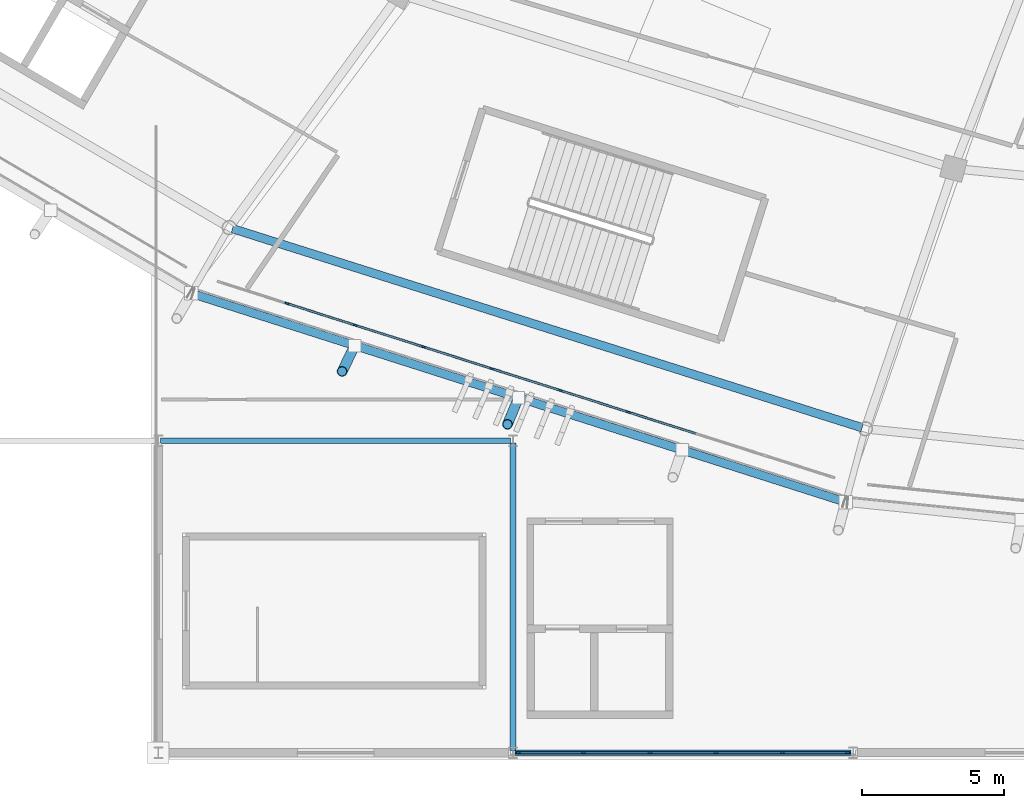
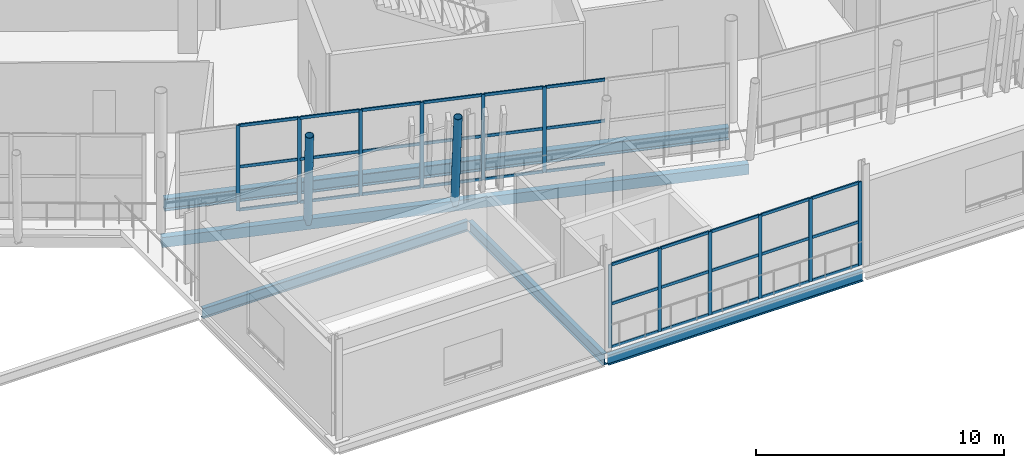
# One storey, part 32 of 179: 47 members, 5 beams, 2 elements without a shape of their own.
"""IFC4 building model written with IfcOpenShell, lengths in metres."""

from ifc_helpers import new_model, si_unit, direction, frame, origin, origin_2d, place, context, subcontext, project, spatial, rectangle, hollow_rectangle, hollow_circle, i_section, extrude, material, material_profile, profile_set, type_object, element, aggregate, save


model = new_model("IFC4")

# Units and contexts
model_context = context("Model", 3, precision=1e-05, world=origin(), true_north=direction((0.0, 1.0)))
body_context = subcontext(model_context, "Body", "Model", "MODEL_VIEW")
ifc_project = project(units=[si_unit("LENGTHUNIT", "METRE"), si_unit("AREAUNIT", "SQUARE_METRE"), si_unit("VOLUMEUNIT", "CUBIC_METRE"), si_unit("PLANEANGLEUNIT", "RADIAN"), si_unit("MASSUNIT", "GRAM", prefix="KILO")], contexts=[model_context])

# Site, building, storey
site_placement = place(None, origin())
site = spatial("IfcSite", under=ifc_project, at=site_placement, CompositionType="ELEMENT")
building_placement = place(site_placement, origin())
building = spatial("IfcBuilding", under=site, at=building_placement, Name="Zlatoyarsky Gate Stadium", CompositionType="ELEMENT")
storey_placement = place(building_placement, frame((0.0, 0.0, 10.60009765625)))
storey = spatial("IfcBuildingStorey", under=building, at=storey_placement, Name="L02", CompositionType="ELEMENT", Elevation=10.60009765625)

# Curtain wall, members
ifc_material_1 = material(Name="Thermally broken anodised aluminium curtain wall", Category="aluminium")
curtain_wall_type_1 = type_object("IfcCurtainWallType", Name="UNITISED HOSPITALITY GLAZING L02", PredefinedType="USERDEFINED", material=ifc_material_1)
curtain_wall_1_placement = place(storey_placement, origin())
curtain_wall_1 = element("IfcCurtainWall", 1, at=curtain_wall_1_placement, inside=storey, type_object=curtain_wall_type_1, Name="Curtain wall CW-L02-16", ObjectType="UNITISED GLAZING", PredefinedType="USERDEFINED")
ifc_material_2 = material(Name="Anodised aluminium 6063-T6", Category="aluminium")
ifc_material_profile_1 = material_profile(ifc_material_2, rectangle(XDim=0.06494140625, YDim=0.159912109375, at=origin_2d()), Name="ALU 65X160")
ifc_profile_set_1 = profile_set([ifc_material_profile_1], Name="Anodised aluminium 6063-T6")
member_type_1 = type_object("IfcMemberType", Name="ALUMINIUM MULLION 65X160", PredefinedType="MULLION", material=ifc_profile_set_1)
member_1_placement = place(storey_placement, frame((66.538818359375, 15.837646484375, 0.0), z_axis=(0.0, 0.0, 1.0), x_axis=(0.303278080998, 0.952902096538, 0.0)))
member_1 = element("IfcMember", 2, at=member_1_placement, type_object=member_type_1, Name="CW-UG2 mullion 2", PredefinedType="MULLION", context=body_context, shape_type="SweptSolid", body=[
    extrude(rectangle(XDim=0.06494140625, YDim=0.159912109375, at=origin_2d()), origin(), (0.0, 0.0, 1.0), 4.199951171875),
])
member_2_placement = place(storey_placement, frame((68.946533203125, 15.071533203125, 0.0), z_axis=(0.0, 0.0, 1.0), x_axis=(0.303278080998, 0.952902096538, 0.0)))
member_2 = element("IfcMember", 3, at=member_2_placement, type_object=member_type_1, Name="CW-UG2 mullion 3", PredefinedType="MULLION", context=body_context, shape_type="SweptSolid", body=[
    extrude(rectangle(XDim=0.06494140625, YDim=0.159912109375, at=origin_2d()), origin(), (0.0, 0.0, 1.0), 4.199951171875),
])
member_3_placement = place(storey_placement, frame((71.35400390625, 14.30517578125, 0.0), z_axis=(0.0, 0.0, 1.0), x_axis=(0.303278080998, 0.952902096538, 0.0)))
member_3 = element("IfcMember", 4, at=member_3_placement, type_object=member_type_1, Name="CW-UG2 mullion 4", PredefinedType="MULLION", context=body_context, shape_type="SweptSolid", body=[
    extrude(rectangle(XDim=0.06494140625, YDim=0.159912109375, at=origin_2d()), origin(), (0.0, 0.0, 1.0), 4.199951171875),
])
member_4_placement = place(storey_placement, frame((73.761474609375, 13.5390625, 0.0), z_axis=(0.0, 0.0, 1.0), x_axis=(0.303278080998, 0.952902096538, 0.0)))
member_4 = element("IfcMember", 5, at=member_4_placement, type_object=member_type_1, Name="CW-UG2 mullion 5", PredefinedType="MULLION", context=body_context, shape_type="SweptSolid", body=[
    extrude(rectangle(XDim=0.06494140625, YDim=0.159912109375, at=origin_2d()), origin(), (0.0, 0.0, 1.0), 4.199951171875),
])
member_5_placement = place(storey_placement, frame((76.1689453125, 12.772705078125, 0.0), z_axis=(0.0, 0.0, 1.0), x_axis=(0.303278080998, 0.952902096538, 0.0)))
member_5 = element("IfcMember", 6, at=member_5_placement, type_object=member_type_1, Name="CW-UG2 mullion 6", PredefinedType="MULLION", context=body_context, shape_type="SweptSolid", body=[
    extrude(rectangle(XDim=0.06494140625, YDim=0.159912109375, at=origin_2d()), origin(), (0.0, 0.0, 1.0), 4.199951171875),
])
member_6_placement = place(storey_placement, frame((78.576416015625, 12.006591796875, 0.0), z_axis=(0.0, 0.0, 1.0), x_axis=(0.303278080998, 0.952902096538, 0.0)))
member_6 = element("IfcMember", 7, at=member_6_placement, type_object=member_type_1, Name="CW-UG2 mullion 7", PredefinedType="MULLION", context=body_context, shape_type="SweptSolid", body=[
    extrude(rectangle(XDim=0.06494140625, YDim=0.159912109375, at=origin_2d()), origin(), (0.0, 0.0, 1.0), 4.199951171875),
])

curtain_wall_type_2 = type_object("IfcCurtainWallType", Name="WINTER GARDEN CONSERVATORY GLAZING", PredefinedType="USERDEFINED", material=ifc_material_1)
curtain_wall_2_placement = place(storey_placement, origin())
curtain_wall_2 = element("IfcCurtainWall", 8, at=curtain_wall_2_placement, inside=storey, type_object=curtain_wall_type_2, Name="Curtain wall CW-V3_SOUTH-L02-161", ObjectType="UNITISED GLAZING", PredefinedType="USERDEFINED")
member_7_placement = place(storey_placement, frame((74.694580078125, 0.0, 0.0), z_axis=(0.0, 0.0, 1.0), x_axis=(0.0, 1.0, 0.0)))
member_7 = element("IfcMember", 9, at=member_7_placement, type_object=member_type_1, Name="CW-WG1 mullion 1", PredefinedType="MULLION", context=body_context, shape_type="SweptSolid", body=[
    extrude(rectangle(XDim=0.06494140625, YDim=0.159912109375, at=origin_2d()), origin(), (0.0, 0.0, 1.0), 4.099853515625),
])
member_8_placement = place(storey_placement, frame((76.997314453125, 0.0, 0.0), z_axis=(0.0, 0.0, 1.0), x_axis=(0.0, 1.0, 0.0)))
member_8 = element("IfcMember", 10, at=member_8_placement, type_object=member_type_1, Name="CW-WG1 mullion 2", PredefinedType="MULLION", context=body_context, shape_type="SweptSolid", body=[
    extrude(rectangle(XDim=0.06494140625, YDim=0.159912109375, at=origin_2d()), origin(), (0.0, 0.0, 1.0), 4.099853515625),
])
member_9_placement = place(storey_placement, frame((79.33251953125, 0.0, 0.0), z_axis=(0.0, 0.0, 1.0), x_axis=(0.0, 1.0, 0.0)))
member_9 = element("IfcMember", 11, at=member_9_placement, type_object=member_type_1, Name="CW-WG1 mullion 3", PredefinedType="MULLION", context=body_context, shape_type="SweptSolid", body=[
    extrude(rectangle(XDim=0.06494140625, YDim=0.159912109375, at=origin_2d()), origin(), (0.0, 0.0, 1.0), 4.099853515625),
])
member_10_placement = place(storey_placement, frame((81.66748046875, 0.0, 0.0), z_axis=(0.0, 0.0, 1.0), x_axis=(0.0, 1.0, 0.0)))
member_10 = element("IfcMember", 12, at=member_10_placement, type_object=member_type_1, Name="CW-WG1 mullion 4", PredefinedType="MULLION", context=body_context, shape_type="SweptSolid", body=[
    extrude(rectangle(XDim=0.06494140625, YDim=0.159912109375, at=origin_2d()), origin(), (0.0, 0.0, 1.0), 4.099853515625),
])
member_11_placement = place(storey_placement, frame((84.002685546875, 0.0, 0.0), z_axis=(0.0, 0.0, 1.0), x_axis=(0.0, 1.0, 0.0)))
member_11 = element("IfcMember", 13, at=member_11_placement, type_object=member_type_1, Name="CW-WG1 mullion 5", PredefinedType="MULLION", context=body_context, shape_type="SweptSolid", body=[
    extrude(rectangle(XDim=0.06494140625, YDim=0.159912109375, at=origin_2d()), origin(), (0.0, 0.0, 1.0), 4.099853515625),
])
member_12_placement = place(storey_placement, frame((86.305419921875, 0.0, 0.0), z_axis=(0.0, 0.0, 1.0), x_axis=(0.0, 1.0, 0.0)))
member_12 = element("IfcMember", 14, at=member_12_placement, type_object=member_type_1, Name="CW-WG1 mullion 6", PredefinedType="MULLION", context=body_context, shape_type="SweptSolid", body=[
    extrude(rectangle(XDim=0.06494140625, YDim=0.159912109375, at=origin_2d()), origin(), (0.0, 0.0, 1.0), 4.099853515625),
])

# Member
ifc_material_profile_2 = material_profile(ifc_material_2, rectangle(XDim=0.06494140625, YDim=0.139892578125, at=origin_2d()), Name="ALU 65X140")
ifc_profile_set_2 = profile_set([ifc_material_profile_2], Name="Anodised aluminium 6063-T6")
member_type_2 = type_object("IfcMemberType", Name="ALUMINIUM TRANSOM 65X140", PredefinedType="USERDEFINED", material=ifc_profile_set_2)
member_13_placement = place(storey_placement, frame((66.56982421875, 15.827880859375, 0.032470703125), z_axis=(0.952899726058, -0.303285528964, 0.0), x_axis=(0.303285528964, 0.952899726058, 0.0)))
member_13 = element("IfcMember", 15, at=member_13_placement, type_object=member_type_2, Name="CW-UG2 transom 2.1", ObjectType="TRANSOM", PredefinedType="USERDEFINED", context=body_context, shape_type="SweptSolid", body=[
    extrude(rectangle(XDim=0.06494140625, YDim=0.139892578125, at=origin_2d()), origin(), (0.0, 0.0, 1.0), 2.461669921875),
])

member_14_placement = place(storey_placement, frame((66.56982421875, 15.827880859375, 2.14990234375), z_axis=(0.952899726058, -0.303285528964, 0.0), x_axis=(0.303285528964, 0.952899726058, 0.0)))
member_14 = element("IfcMember", 16, at=member_14_placement, type_object=member_type_2, Name="CW-UG2 transom 2.2", ObjectType="TRANSOM", PredefinedType="USERDEFINED", context=body_context, shape_type="SweptSolid", body=[
    extrude(rectangle(XDim=0.06494140625, YDim=0.139892578125, at=origin_2d()), origin(), (0.0, 0.0, 1.0), 2.461669921875),
])

member_15_placement = place(storey_placement, frame((66.56982421875, 15.827880859375, 4.16748046875), z_axis=(0.952899726058, -0.303285528964, 0.0), x_axis=(0.303285528964, 0.952899726058, 0.0)))
member_15 = element("IfcMember", 17, at=member_15_placement, type_object=member_type_2, Name="CW-UG2 transom 2.3", ObjectType="TRANSOM", PredefinedType="USERDEFINED", context=body_context, shape_type="SweptSolid", body=[
    extrude(rectangle(XDim=0.06494140625, YDim=0.139892578125, at=origin_2d()), origin(), (0.0, 0.0, 1.0), 2.461669921875),
])

member_16_placement = place(storey_placement, frame((68.977294921875, 15.0615234375, 0.032470703125), z_axis=(0.952899726058, -0.303285528964, 0.0), x_axis=(0.303285528964, 0.952899726058, 0.0)))
member_16 = element("IfcMember", 18, at=member_16_placement, type_object=member_type_2, Name="CW-UG2 transom 3.1", ObjectType="TRANSOM", PredefinedType="USERDEFINED", context=body_context, shape_type="SweptSolid", body=[
    extrude(rectangle(XDim=0.06494140625, YDim=0.139892578125, at=origin_2d()), origin(), (0.0, 0.0, 1.0), 2.461669921875),
])

member_17_placement = place(storey_placement, frame((68.977294921875, 15.0615234375, 2.14990234375), z_axis=(0.952899726058, -0.303285528964, 0.0), x_axis=(0.303285528964, 0.952899726058, 0.0)))
member_17 = element("IfcMember", 19, at=member_17_placement, type_object=member_type_2, Name="CW-UG2 transom 3.2", ObjectType="TRANSOM", PredefinedType="USERDEFINED", context=body_context, shape_type="SweptSolid", body=[
    extrude(rectangle(XDim=0.06494140625, YDim=0.139892578125, at=origin_2d()), origin(), (0.0, 0.0, 1.0), 2.461669921875),
])

member_18_placement = place(storey_placement, frame((68.977294921875, 15.0615234375, 4.16748046875), z_axis=(0.952899726058, -0.303285528964, 0.0), x_axis=(0.303285528964, 0.952899726058, 0.0)))
member_18 = element("IfcMember", 20, at=member_18_placement, type_object=member_type_2, Name="CW-UG2 transom 3.3", ObjectType="TRANSOM", PredefinedType="USERDEFINED", context=body_context, shape_type="SweptSolid", body=[
    extrude(rectangle(XDim=0.06494140625, YDim=0.139892578125, at=origin_2d()), origin(), (0.0, 0.0, 1.0), 2.461669921875),
])

member_19_placement = place(storey_placement, frame((71.385009765625, 14.29541015625, 0.032470703125), z_axis=(0.952890602186, -0.303314193972, 0.0), x_axis=(0.303314193972, 0.952890602186, 0.0)))
member_19 = element("IfcMember", 21, at=member_19_placement, type_object=member_type_2, Name="CW-UG2 transom 4.1", ObjectType="TRANSOM", PredefinedType="USERDEFINED", context=body_context, shape_type="SweptSolid", body=[
    extrude(rectangle(XDim=0.06494140625, YDim=0.139892578125, at=origin_2d()), origin(), (0.0, 0.0, 1.0), 2.46142578125),
])

member_20_placement = place(storey_placement, frame((71.385009765625, 14.29541015625, 2.14990234375), z_axis=(0.952890602186, -0.303314193972, 0.0), x_axis=(0.303314193972, 0.952890602186, 0.0)))
member_20 = element("IfcMember", 22, at=member_20_placement, type_object=member_type_2, Name="CW-UG2 transom 4.2", ObjectType="TRANSOM", PredefinedType="USERDEFINED", context=body_context, shape_type="SweptSolid", body=[
    extrude(rectangle(XDim=0.06494140625, YDim=0.139892578125, at=origin_2d()), origin(), (0.0, 0.0, 1.0), 2.46142578125),
])

member_21_placement = place(storey_placement, frame((71.385009765625, 14.29541015625, 4.16748046875), z_axis=(0.952890602186, -0.303314193972, 0.0), x_axis=(0.303314193972, 0.952890602186, 0.0)))
member_21 = element("IfcMember", 23, at=member_21_placement, type_object=member_type_2, Name="CW-UG2 transom 4.3", ObjectType="TRANSOM", PredefinedType="USERDEFINED", context=body_context, shape_type="SweptSolid", body=[
    extrude(rectangle(XDim=0.06494140625, YDim=0.139892578125, at=origin_2d()), origin(), (0.0, 0.0, 1.0), 2.46142578125),
])

member_22_placement = place(storey_placement, frame((73.79248046875, 13.529052734375, 0.032470703125), z_axis=(0.952890602186, -0.303314193972, 0.0), x_axis=(0.303314193972, 0.952890602186, 0.0)))
member_22 = element("IfcMember", 24, at=member_22_placement, type_object=member_type_2, Name="CW-UG2 transom 5.1", ObjectType="TRANSOM", PredefinedType="USERDEFINED", context=body_context, shape_type="SweptSolid", body=[
    extrude(rectangle(XDim=0.06494140625, YDim=0.139892578125, at=origin_2d()), origin(), (0.0, 0.0, 1.0), 2.46142578125),
])

member_23_placement = place(storey_placement, frame((73.79248046875, 13.529052734375, 2.14990234375), z_axis=(0.952890602186, -0.303314193972, 0.0), x_axis=(0.303314193972, 0.952890602186, 0.0)))
member_23 = element("IfcMember", 25, at=member_23_placement, type_object=member_type_2, Name="CW-UG2 transom 5.2", ObjectType="TRANSOM", PredefinedType="USERDEFINED", context=body_context, shape_type="SweptSolid", body=[
    extrude(rectangle(XDim=0.06494140625, YDim=0.139892578125, at=origin_2d()), origin(), (0.0, 0.0, 1.0), 2.46142578125),
])

member_24_placement = place(storey_placement, frame((73.79248046875, 13.529052734375, 4.16748046875), z_axis=(0.952890602186, -0.303314193972, 0.0), x_axis=(0.303314193972, 0.952890602186, 0.0)))
member_24 = element("IfcMember", 26, at=member_24_placement, type_object=member_type_2, Name="CW-UG2 transom 5.3", ObjectType="TRANSOM", PredefinedType="USERDEFINED", context=body_context, shape_type="SweptSolid", body=[
    extrude(rectangle(XDim=0.06494140625, YDim=0.139892578125, at=origin_2d()), origin(), (0.0, 0.0, 1.0), 2.46142578125),
])

member_25_placement = place(storey_placement, frame((76.199951171875, 12.762939453125, 0.032470703125), z_axis=(0.952890602186, -0.303314193972, 0.0), x_axis=(0.303314193972, 0.952890602186, 0.0)))
member_25 = element("IfcMember", 27, at=member_25_placement, type_object=member_type_2, Name="CW-UG2 transom 6.1", ObjectType="TRANSOM", PredefinedType="USERDEFINED", context=body_context, shape_type="SweptSolid", body=[
    extrude(rectangle(XDim=0.06494140625, YDim=0.139892578125, at=origin_2d()), origin(), (0.0, 0.0, 1.0), 2.46142578125),
])

member_26_placement = place(storey_placement, frame((76.199951171875, 12.762939453125, 2.14990234375), z_axis=(0.952890602186, -0.303314193972, 0.0), x_axis=(0.303314193972, 0.952890602186, 0.0)))
member_26 = element("IfcMember", 28, at=member_26_placement, type_object=member_type_2, Name="CW-UG2 transom 6.2", ObjectType="TRANSOM", PredefinedType="USERDEFINED", context=body_context, shape_type="SweptSolid", body=[
    extrude(rectangle(XDim=0.06494140625, YDim=0.139892578125, at=origin_2d()), origin(), (0.0, 0.0, 1.0), 2.46142578125),
])

member_27_placement = place(storey_placement, frame((76.199951171875, 12.762939453125, 4.16748046875), z_axis=(0.952890602186, -0.303314193972, 0.0), x_axis=(0.303314193972, 0.952890602186, 0.0)))
member_27 = element("IfcMember", 29, at=member_27_placement, type_object=member_type_2, Name="CW-UG2 transom 6.3", ObjectType="TRANSOM", PredefinedType="USERDEFINED", context=body_context, shape_type="SweptSolid", body=[
    extrude(rectangle(XDim=0.06494140625, YDim=0.139892578125, at=origin_2d()), origin(), (0.0, 0.0, 1.0), 2.46142578125),
])

member_28_placement = place(storey_placement, frame((78.607421875, 11.99658203125, 0.032470703125), z_axis=(0.9529283851, -0.303195469739, 0.0), x_axis=(0.303195469739, 0.9529283851, 0.0)))
member_28 = element("IfcMember", 30, at=member_28_placement, type_object=member_type_2, Name="CW-UG2 transom 7.1", ObjectType="TRANSOM", PredefinedType="USERDEFINED", context=body_context, shape_type="SweptSolid", body=[
    extrude(rectangle(XDim=0.06494140625, YDim=0.139892578125, at=origin_2d()), origin(), (0.0, 0.0, 1.0), 2.461669921875),
])

member_29_placement = place(storey_placement, frame((78.607421875, 11.99658203125, 2.14990234375), z_axis=(0.9529283851, -0.303195469739, 0.0), x_axis=(0.303195469739, 0.9529283851, 0.0)))
member_29 = element("IfcMember", 31, at=member_29_placement, type_object=member_type_2, Name="CW-UG2 transom 7.2", ObjectType="TRANSOM", PredefinedType="USERDEFINED", context=body_context, shape_type="SweptSolid", body=[
    extrude(rectangle(XDim=0.06494140625, YDim=0.139892578125, at=origin_2d()), origin(), (0.0, 0.0, 1.0), 2.461669921875),
])

member_30_placement = place(storey_placement, frame((78.607421875, 11.99658203125, 4.16748046875), z_axis=(0.9529283851, -0.303195469739, 0.0), x_axis=(0.303195469739, 0.9529283851, 0.0)))
member_30 = element("IfcMember", 32, at=member_30_placement, type_object=member_type_2, Name="CW-UG2 transom 7.3", ObjectType="TRANSOM", PredefinedType="USERDEFINED", context=body_context, shape_type="SweptSolid", body=[
    extrude(rectangle(XDim=0.06494140625, YDim=0.139892578125, at=origin_2d()), origin(), (0.0, 0.0, 1.0), 2.461669921875),
])

aggregate(curtain_wall_1, [member_1, member_2, member_3, member_4, member_5, member_6, member_13, member_14, member_15, member_16, member_17, member_18, member_19, member_20, member_21, member_22, member_23, member_24, member_25, member_26, member_27, member_28, member_29, member_30])

member_31_placement = place(storey_placement, frame((74.72705078125, 0.0, 0.032470703125), z_axis=(1.0, 0.0, 0.0), x_axis=(0.0, 1.0, 0.0)))
member_31 = element("IfcMember", 33, at=member_31_placement, type_object=member_type_2, Name="CW-WG1 transom 1.1", ObjectType="TRANSOM", PredefinedType="USERDEFINED", context=body_context, shape_type="SweptSolid", body=[
    extrude(rectangle(XDim=0.06494140625, YDim=0.139892578125, at=origin_2d()), origin(), (0.0, 0.0, 1.0), 2.237548828125),
])

member_32_placement = place(storey_placement, frame((74.72705078125, 0.0, 2.14990234375), z_axis=(1.0, 0.0, 0.0), x_axis=(0.0, 1.0, 0.0)))
member_32 = element("IfcMember", 34, at=member_32_placement, type_object=member_type_2, Name="CW-WG1 transom 1.2", ObjectType="TRANSOM", PredefinedType="USERDEFINED", context=body_context, shape_type="SweptSolid", body=[
    extrude(rectangle(XDim=0.06494140625, YDim=0.139892578125, at=origin_2d()), origin(), (0.0, 0.0, 1.0), 2.237548828125),
])

member_33_placement = place(storey_placement, frame((74.72705078125, 0.0, 4.0673828125), z_axis=(1.0, 0.0, 0.0), x_axis=(0.0, 1.0, 0.0)))
member_33 = element("IfcMember", 35, at=member_33_placement, type_object=member_type_2, Name="CW-WG1 transom 1.3", ObjectType="TRANSOM", PredefinedType="USERDEFINED", context=body_context, shape_type="SweptSolid", body=[
    extrude(rectangle(XDim=0.06494140625, YDim=0.139892578125, at=origin_2d()), origin(), (0.0, 0.0, 1.0), 2.237548828125),
])

member_34_placement = place(storey_placement, frame((77.02978515625, 0.0, 0.032470703125), z_axis=(1.0, 0.0, 0.0), x_axis=(0.0, 1.0, 0.0)))
member_34 = element("IfcMember", 36, at=member_34_placement, type_object=member_type_2, Name="CW-WG1 transom 2.1", ObjectType="TRANSOM", PredefinedType="USERDEFINED", context=body_context, shape_type="SweptSolid", body=[
    extrude(rectangle(XDim=0.06494140625, YDim=0.139892578125, at=origin_2d()), origin(), (0.0, 0.0, 1.0), 2.27001953125),
])

member_35_placement = place(storey_placement, frame((77.02978515625, 0.0, 2.14990234375), z_axis=(1.0, 0.0, 0.0), x_axis=(0.0, 1.0, 0.0)))
member_35 = element("IfcMember", 37, at=member_35_placement, type_object=member_type_2, Name="CW-WG1 transom 2.2", ObjectType="TRANSOM", PredefinedType="USERDEFINED", context=body_context, shape_type="SweptSolid", body=[
    extrude(rectangle(XDim=0.06494140625, YDim=0.139892578125, at=origin_2d()), origin(), (0.0, 0.0, 1.0), 2.27001953125),
])

member_36_placement = place(storey_placement, frame((77.02978515625, 0.0, 4.0673828125), z_axis=(1.0, 0.0, 0.0), x_axis=(0.0, 1.0, 0.0)))
member_36 = element("IfcMember", 38, at=member_36_placement, type_object=member_type_2, Name="CW-WG1 transom 2.3", ObjectType="TRANSOM", PredefinedType="USERDEFINED", context=body_context, shape_type="SweptSolid", body=[
    extrude(rectangle(XDim=0.06494140625, YDim=0.139892578125, at=origin_2d()), origin(), (0.0, 0.0, 1.0), 2.27001953125),
])

member_37_placement = place(storey_placement, frame((79.364990234375, 0.0, 0.032470703125), z_axis=(1.0, 0.0, 0.0), x_axis=(0.0, 1.0, 0.0)))
member_37 = element("IfcMember", 39, at=member_37_placement, type_object=member_type_2, Name="CW-WG1 transom 3.1", ObjectType="TRANSOM", PredefinedType="USERDEFINED", context=body_context, shape_type="SweptSolid", body=[
    extrude(rectangle(XDim=0.06494140625, YDim=0.139892578125, at=origin_2d()), origin(), (0.0, 0.0, 1.0), 2.27001953125),
])

member_38_placement = place(storey_placement, frame((79.364990234375, 0.0, 2.14990234375), z_axis=(1.0, 0.0, 0.0), x_axis=(0.0, 1.0, 0.0)))
member_38 = element("IfcMember", 40, at=member_38_placement, type_object=member_type_2, Name="CW-WG1 transom 3.2", ObjectType="TRANSOM", PredefinedType="USERDEFINED", context=body_context, shape_type="SweptSolid", body=[
    extrude(rectangle(XDim=0.06494140625, YDim=0.139892578125, at=origin_2d()), origin(), (0.0, 0.0, 1.0), 2.27001953125),
])

member_39_placement = place(storey_placement, frame((79.364990234375, 0.0, 4.0673828125), z_axis=(1.0, 0.0, 0.0), x_axis=(0.0, 1.0, 0.0)))
member_39 = element("IfcMember", 41, at=member_39_placement, type_object=member_type_2, Name="CW-WG1 transom 3.3", ObjectType="TRANSOM", PredefinedType="USERDEFINED", context=body_context, shape_type="SweptSolid", body=[
    extrude(rectangle(XDim=0.06494140625, YDim=0.139892578125, at=origin_2d()), origin(), (0.0, 0.0, 1.0), 2.27001953125),
])

member_40_placement = place(storey_placement, frame((81.7001953125, 0.0, 0.032470703125), z_axis=(1.0, 0.0, 0.0), x_axis=(0.0, 1.0, 0.0)))
member_40 = element("IfcMember", 42, at=member_40_placement, type_object=member_type_2, Name="CW-WG1 transom 4.1", ObjectType="TRANSOM", PredefinedType="USERDEFINED", context=body_context, shape_type="SweptSolid", body=[
    extrude(rectangle(XDim=0.06494140625, YDim=0.139892578125, at=origin_2d()), origin(), (0.0, 0.0, 1.0), 2.27001953125),
])

member_41_placement = place(storey_placement, frame((81.7001953125, 0.0, 2.14990234375), z_axis=(1.0, 0.0, 0.0), x_axis=(0.0, 1.0, 0.0)))
member_41 = element("IfcMember", 43, at=member_41_placement, type_object=member_type_2, Name="CW-WG1 transom 4.2", ObjectType="TRANSOM", PredefinedType="USERDEFINED", context=body_context, shape_type="SweptSolid", body=[
    extrude(rectangle(XDim=0.06494140625, YDim=0.139892578125, at=origin_2d()), origin(), (0.0, 0.0, 1.0), 2.27001953125),
])

member_42_placement = place(storey_placement, frame((81.7001953125, 0.0, 4.0673828125), z_axis=(1.0, 0.0, 0.0), x_axis=(0.0, 1.0, 0.0)))
member_42 = element("IfcMember", 44, at=member_42_placement, type_object=member_type_2, Name="CW-WG1 transom 4.3", ObjectType="TRANSOM", PredefinedType="USERDEFINED", context=body_context, shape_type="SweptSolid", body=[
    extrude(rectangle(XDim=0.06494140625, YDim=0.139892578125, at=origin_2d()), origin(), (0.0, 0.0, 1.0), 2.27001953125),
])

member_43_placement = place(storey_placement, frame((84.035400390625, 0.0, 0.032470703125), z_axis=(1.0, 0.0, 0.0), x_axis=(0.0, 1.0, 0.0)))
member_43 = element("IfcMember", 45, at=member_43_placement, type_object=member_type_2, Name="CW-WG1 transom 5.1", ObjectType="TRANSOM", PredefinedType="USERDEFINED", context=body_context, shape_type="SweptSolid", body=[
    extrude(rectangle(XDim=0.06494140625, YDim=0.139892578125, at=origin_2d()), origin(), (0.0, 0.0, 1.0), 2.237548828125),
])

member_44_placement = place(storey_placement, frame((84.035400390625, 0.0, 2.14990234375), z_axis=(1.0, 0.0, 0.0), x_axis=(0.0, 1.0, 0.0)))
member_44 = element("IfcMember", 46, at=member_44_placement, type_object=member_type_2, Name="CW-WG1 transom 5.2", ObjectType="TRANSOM", PredefinedType="USERDEFINED", context=body_context, shape_type="SweptSolid", body=[
    extrude(rectangle(XDim=0.06494140625, YDim=0.139892578125, at=origin_2d()), origin(), (0.0, 0.0, 1.0), 2.237548828125),
])

member_45_placement = place(storey_placement, frame((84.035400390625, 0.0, 4.0673828125), z_axis=(1.0, 0.0, 0.0), x_axis=(0.0, 1.0, 0.0)))
member_45 = element("IfcMember", 47, at=member_45_placement, type_object=member_type_2, Name="CW-WG1 transom 5.3", ObjectType="TRANSOM", PredefinedType="USERDEFINED", context=body_context, shape_type="SweptSolid", body=[
    extrude(rectangle(XDim=0.06494140625, YDim=0.139892578125, at=origin_2d()), origin(), (0.0, 0.0, 1.0), 2.237548828125),
])

aggregate(curtain_wall_2, [member_7, member_8, member_9, member_10, member_11, member_12, member_31, member_32, member_33, member_34, member_35, member_36, member_37, member_38, member_39, member_40, member_41, member_42, member_43, member_44, member_45])

# Beams
ifc_material_3 = material(Name="Steel S355", Category="steel")
ifc_material_profile_3 = material_profile(ifc_material_3, i_section(OverallWidth=0.199951171875, OverallDepth=0.5, WebThickness=0.01025390625, FlangeThickness=0.01611328125, FilletRadius=0.02099609375, at=origin_2d()), Name="IPE 500")
ifc_profile_set_3 = profile_set([ifc_material_profile_3], Name="Steel S355")
beam_type_1 = type_object("IfcBeamType", Name="STEEL FLOOR BEAM IPE 500", PredefinedType="BEAM", material=ifc_profile_set_3)
beam_1_placement = place(storey_placement, frame((62.080078125, 11.0, -0.530029296875), z_axis=(1.0, 0.0, 0.0), x_axis=(0.0, 1.0, 0.0)))
element("IfcBeam", 48, at=beam_1_placement, inside=storey, type_object=beam_type_1, Name="Beam B-IPE500 BM-L02-WGX-6-B", PredefinedType="BEAM", context=body_context, shape_type="SweptSolid", body=[
    extrude(i_section(OverallWidth=0.199951171875, OverallDepth=0.5, WebThickness=0.01025390625, FlangeThickness=0.01611328125, FilletRadius=0.02099609375, at=origin_2d()), origin(), (0.0, 0.0, 1.0), 12.33984375),
])
beam_2_placement = place(storey_placement, frame((74.580078125, 0.0, -0.530029296875), z_axis=(1.0, 0.0, 0.0), x_axis=(0.0, 1.0, 0.0)))
element("IfcBeam", 49, at=beam_2_placement, inside=storey, type_object=beam_type_1, Name="Beam B-IPE500 BM-L02-WGX-7-A", PredefinedType="BEAM", context=body_context, shape_type="SweptSolid", body=[
    extrude(i_section(OverallWidth=0.199951171875, OverallDepth=0.5, WebThickness=0.01025390625, FlangeThickness=0.01611328125, FilletRadius=0.02099609375, at=origin_2d()), origin(), (0.0, 0.0, 1.0), 11.83984375),
])
ifc_material_profile_4 = material_profile(ifc_material_3, i_section(OverallWidth=0.2099609375, OverallDepth=0.550048828125, WebThickness=0.010986328125, FlangeThickness=0.01708984375, FilletRadius=0.02392578125, at=origin_2d()), Name="IPE 550")
ifc_profile_set_4 = profile_set([ifc_material_profile_4], Name="Steel S355")
beam_type_2 = type_object("IfcBeamType", Name="STEEL FLOOR BEAM IPE 550", PredefinedType="BEAM", material=ifc_profile_set_4)
beam_3_placement = place(storey_placement, frame((74.5, 0.080078125, -0.55517578125), z_axis=(0.0, 1.0, 0.0), x_axis=(-1.0, 0.0, 0.0)))
element("IfcBeam", 50, at=beam_3_placement, inside=storey, type_object=beam_type_2, Name="Beam B-IPE550 BM-L02-WGY-7-A", PredefinedType="BEAM", context=body_context, shape_type="SweptSolid", body=[
    extrude(i_section(OverallWidth=0.2099609375, OverallDepth=0.550048828125, WebThickness=0.010986328125, FlangeThickness=0.01708984375, FilletRadius=0.02392578125, at=origin_2d()), origin(), (0.0, 0.0, 1.0), 10.83984375),
])

# Members
ifc_material_profile_5 = material_profile(ifc_material_3, hollow_circle(Radius=0.177734375, WallThickness=0.02001953125, at=origin_2d()), Name="CHS 355.6X20")
ifc_profile_set_5 = profile_set([ifc_material_profile_5], Name="Steel S355")
member_type_3 = type_object("IfcMemberType", Name="STEEL LEANING RIB RING STRUT CHS 355.6X20", PredefinedType="STRUT", material=ifc_profile_set_5)
member_46_placement = place(storey_placement, frame((68.930908203125, 14.354736328125, -0.530029296875), z_axis=(-0.088461637848, -0.179219737902, 0.979823874059), x_axis=(0.896713419894, -0.442611615959, 0.0)))
element("IfcMember", 51, at=member_46_placement, inside=storey, type_object=member_type_3, Name="Outward-leaning bowl louvre fin rib L02 16-1", PredefinedType="STRUT", context=body_context, shape_type="SweptSolid", body=[
    extrude(hollow_circle(Radius=0.177734375, WallThickness=0.02001953125, at=origin_2d()), origin(), (0.0, 0.0, 1.0), 5.10302734375),
])
member_47_placement = place(storey_placement, frame((74.69970703125, 12.5146484375, -0.530029296875), z_axis=(-0.076316931677, -0.184213283357, 0.979918972249), x_axis=(0.923855963606, -0.38274032778, 0.0)))
element("IfcMember", 52, at=member_47_placement, inside=storey, type_object=member_type_3, Name="Outward-leaning bowl louvre fin rib L02 16-2", PredefinedType="STRUT", context=body_context, shape_type="SweptSolid", body=[
    extrude(hollow_circle(Radius=0.177734375, WallThickness=0.02001953125, at=origin_2d()), origin(), (0.0, 0.0, 1.0), 5.1025390625),
])

# Beams
ifc_material_profile_6 = material_profile(ifc_material_3, hollow_rectangle(XDim=0.300048828125, YDim=0.5, WallThickness=0.02001953125, at=origin_2d()), Name="RHS 500X300X20")
ifc_profile_set_6 = profile_set([ifc_material_profile_6], Name="Steel S355")
beam_type_3 = type_object("IfcBeamType", Name="STEEL LOUVRE CARRIER SPANDREL RHS 500X300X20", PredefinedType="SPANDREL", material=ifc_profile_set_6)
beam_4_placement = place(storey_placement, frame((63.18115234375, 16.188720703125, -0.530029296875), z_axis=(0.952708602782, -0.303885370141, 0.0), x_axis=(0.303885370141, 0.952708602782, 0.0)))
element("IfcBeam", 53, at=beam_4_placement, inside=storey, type_object=beam_type_3, Name="Beam SP-RHS500 BM-L02-SPD-16", PredefinedType="SPANDREL", context=body_context, shape_type="SweptSolid", body=[
    extrude(hollow_rectangle(XDim=0.300048828125, YDim=0.5, WallThickness=0.02001953125, at=origin_2d()), origin(), (0.0, 0.0, 1.0), 24.1806640625),
])
ifc_material_profile_7 = material_profile(ifc_material_3, i_section(OverallWidth=0.300048828125, OverallDepth=0.60009765625, WebThickness=0.015380859375, FlangeThickness=0.030029296875, FilletRadius=0.027099609375, at=origin_2d()), Name="HEB 600")
ifc_profile_set_7 = profile_set([ifc_material_profile_7], Name="Steel S355")
beam_type_4 = type_object("IfcBeamType", Name="STEEL PRIMARY GIRDER HEB 600", PredefinedType="BEAM", material=ifc_profile_set_7)
beam_5_placement = place(storey_placement, frame((64.614501953125, 18.47607421875, -0.580078125), z_axis=(0.953463107403, -0.301509706015, 0.0), x_axis=(0.301509706015, 0.953463107403, 0.0)))
element("IfcBeam", 54, at=beam_5_placement, inside=storey, type_object=beam_type_4, Name="Beam G-HEB600 BM-L02-CRC-16", PredefinedType="BEAM", context=body_context, shape_type="SweptSolid", body=[
    extrude(i_section(OverallWidth=0.300048828125, OverallDepth=0.60009765625, WebThickness=0.015380859375, FlangeThickness=0.030029296875, FilletRadius=0.027099609375, at=origin_2d()), origin(), (0.0, 0.0, 1.0), 23.284423828125),
])

save(model, "model.ifc")
